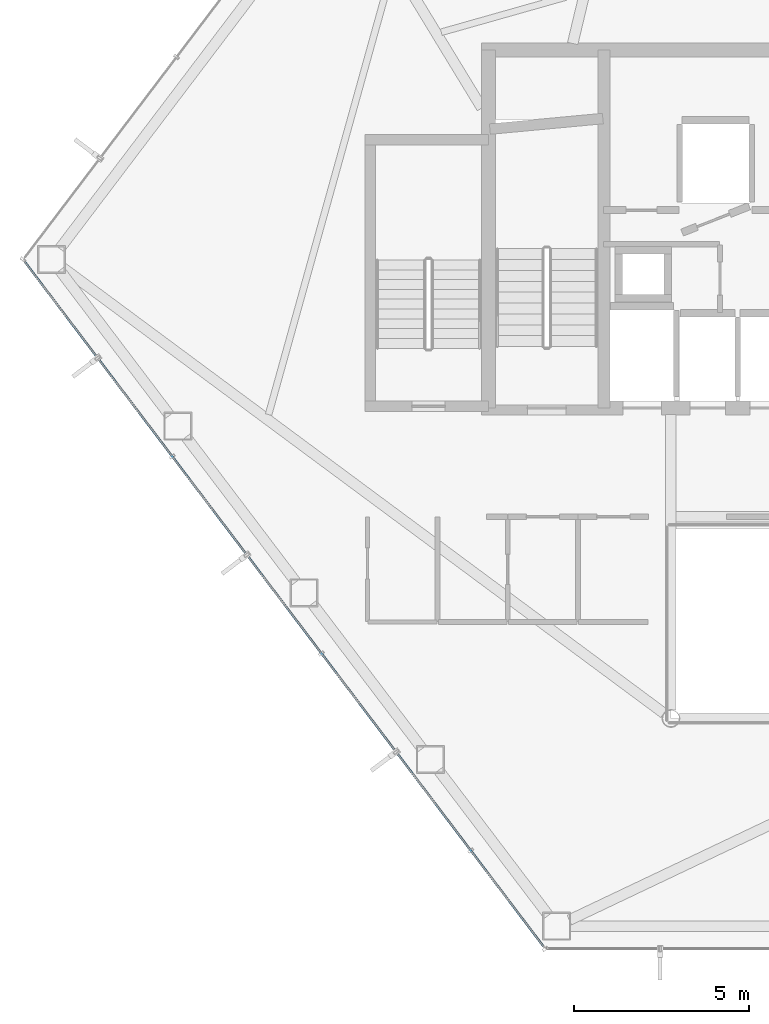
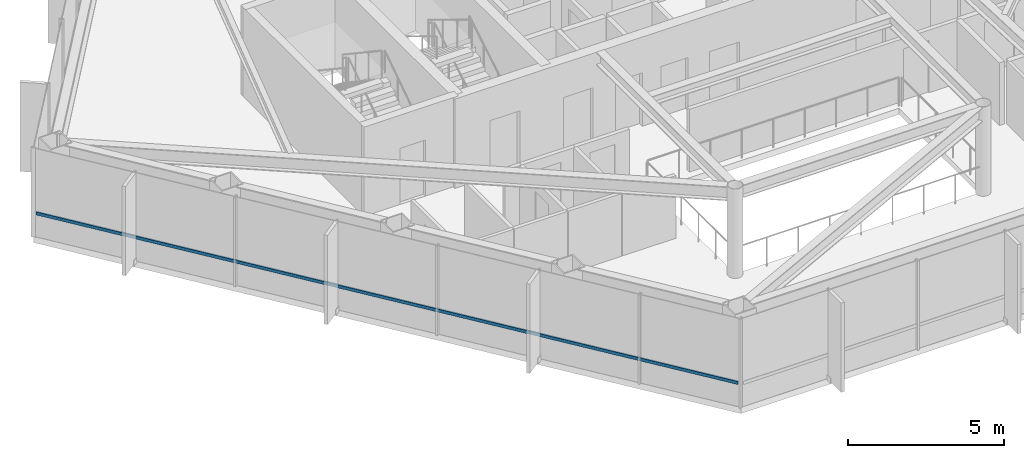
# One storey, part 3 of 28: 1 member, 1 element without a shape of its own.
"""IFC4 building model written with IfcOpenShell, lengths in metres."""

from ifc_helpers import new_model, si_unit, direction, frame, origin, origin_2d, place, context, subcontext, project, spatial, hollow_rectangle, extrude, material, layer, layer_set, material_profile, profile_set, type_object, element, aggregate, save


model = new_model("IFC4")

# Units and contexts
model_context = context("Model", 3, precision=1e-05, world=origin(), true_north=direction((0.0, 1.0)))
body_context = subcontext(model_context, "Body", "Model", "MODEL_VIEW")
ifc_project = project(units=[si_unit("LENGTHUNIT", "METRE"), si_unit("AREAUNIT", "SQUARE_METRE"), si_unit("VOLUMEUNIT", "CUBIC_METRE"), si_unit("PLANEANGLEUNIT", "RADIAN"), si_unit("MASSUNIT", "GRAM", prefix="KILO")], contexts=[model_context])

# Site, building, storey
site_placement = place(None, origin())
site = spatial("IfcSite", under=ifc_project, at=site_placement, CompositionType="ELEMENT")
building_placement = place(site_placement, origin())
building = spatial("IfcBuilding", under=site, at=building_placement, Name="Zarrinselat Tower", CompositionType="ELEMENT")
storey_placement = place(building_placement, frame((0.0, 0.0, 145.860107421875)))
storey = spatial("IfcBuildingStorey", under=building, at=storey_placement, Name="L35", CompositionType="ELEMENT", Elevation=145.860107421875)

# Curtain wall, member
ifc_material_1 = material(Name="Extruded Aluminium Alloy EN AW-6063 T6", Category="aluminium")
ifc_layer = layer(ifc_material_1, 0.175048828125)
ifc_layer_set = layer_set([ifc_layer], Name="Extruded Aluminium Alloy EN AW-6063 T6")
curtain_wall_type = type_object("IfcCurtainWallType", Name="CWS-HTL", PredefinedType="NOTDEFINED", material=ifc_layer_set)
curtain_wall_placement = place(storey_placement, origin())
curtain_wall = element("IfcCurtainWall", 1, at=curtain_wall_placement, inside=storey, type_object=curtain_wall_type, Name="L35 Unitised Curtain Wall CW-L35-E03", PredefinedType="NOTDEFINED")
ifc_material_2 = material(Name="Extruded Aluminium Alloy EN AW-6063 T6", Category="aluminium")
ifc_material_profile = material_profile(ifc_material_2, hollow_rectangle(XDim=0.06005859375, YDim=0.1201171875, WallThickness=0.00390625, at=origin_2d()), Name="RHS 120x60x4")
ifc_profile_set = profile_set([ifc_material_profile], Name="Extruded Aluminium Alloy EN AW-6063 T6")
member_type = type_object("IfcMemberType", Name="MEM-CW-TRN2", PredefinedType="USERDEFINED", material=ifc_profile_set)
member_placement = place(storey_placement, frame((15.385986328125, 37.41162109375, 0.949951171875), z_axis=(0.603864986121, -0.797086619218, 0.0), x_axis=(0.797086619218, 0.603864986121, 0.0)))
member = element("IfcMember", 2, at=member_placement, type_object=member_type, Name="CW-L35-E03 Transom 1", ObjectType="TRANSOM", PredefinedType="USERDEFINED", context=body_context, shape_type="SweptSolid", body=[
    extrude(hollow_rectangle(XDim=0.06005859375, YDim=0.1201171875, WallThickness=0.00390625, at=origin_2d()), origin(), (0.0, 0.0, 1.0), 24.474609375),
])
aggregate(curtain_wall, [member])

save(model, "model.ifc")
